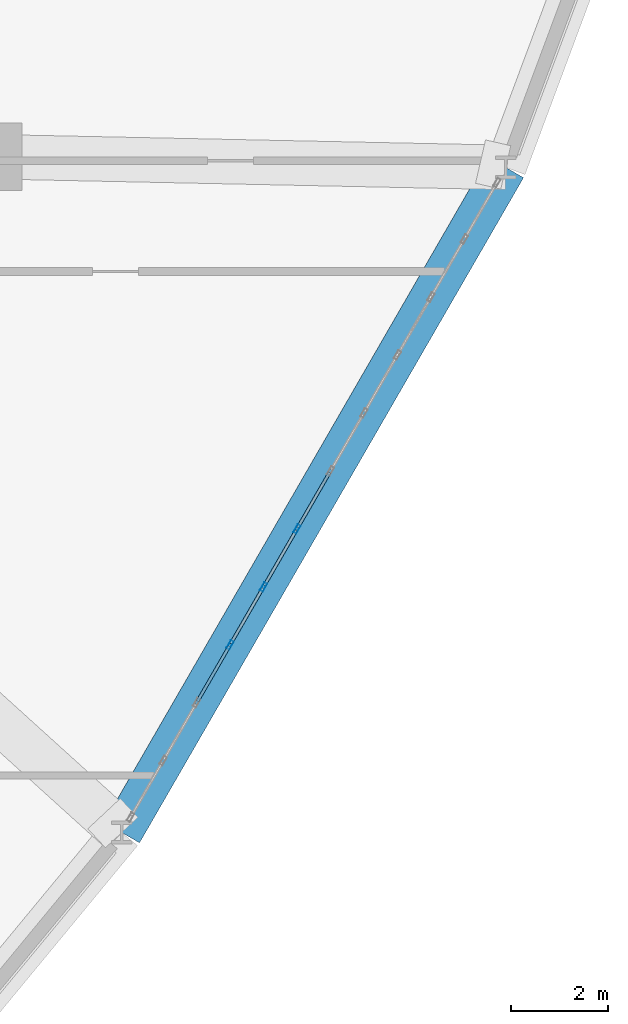
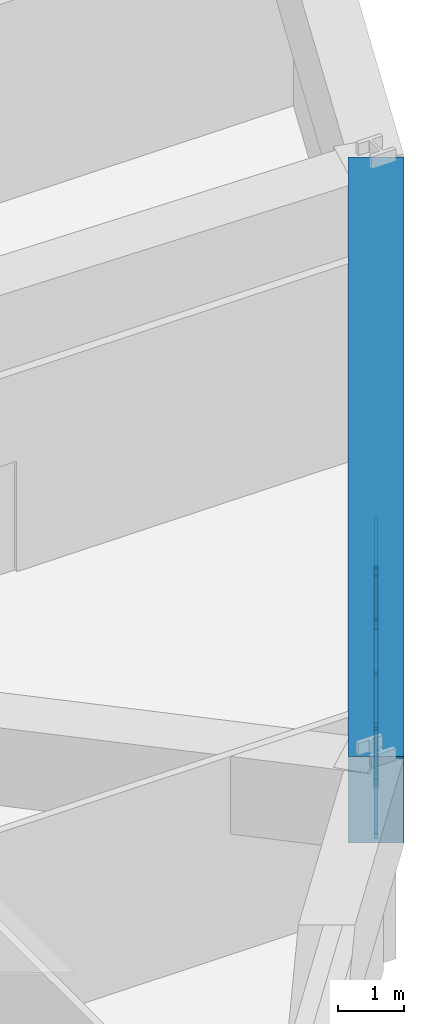
# One storey, part 7 of 20: 13 members, 1 beam, 1 element without a shape of its own.
"""IFC4 building model written with IfcOpenShell, lengths in metres."""

from ifc_helpers import new_model, si_unit, derived_unit, direction, frame, origin, origin_2d, place, context, subcontext, project, spatial, rectangle, hollow_rectangle, extrude, source, transform, mapped, material, layer, layer_set, material_profile, profile_set, type_object, element, aggregate, save


model = new_model("IFC4")

# Units and contexts
model_context = context("Model", 3, precision=1e-05, world=origin(), true_north=direction((0.0, 1.0)))
body_context = subcontext(model_context, "Body", "Model", "MODEL_VIEW")
ifc_project = project(units=[si_unit("LENGTHUNIT", "METRE"), si_unit("AREAUNIT", "SQUARE_METRE"), si_unit("VOLUMEUNIT", "CUBIC_METRE"), si_unit("PLANEANGLEUNIT", "RADIAN"), si_unit("MASSUNIT", "GRAM", prefix="KILO"), derived_unit("THERMALTRANSMITTANCEUNIT", [(si_unit("POWERUNIT", "WATT"), 1), (si_unit("LENGTHUNIT", "METRE"), -2), (si_unit("THERMODYNAMICTEMPERATUREUNIT", "KELVIN"), -1)])], contexts=[model_context])

# Site, building, storey
site_placement = place(None, origin())
site = spatial("IfcSite", under=ifc_project, at=site_placement, CompositionType="ELEMENT")
building_placement = place(site_placement, origin())
building = spatial("IfcBuilding", under=site, at=building_placement, Name="Korsvarv Bourse and Concert Hall", CompositionType="ELEMENT")
storey_placement = place(building_placement, frame((0.0, 0.0, 43.5)))
storey = spatial("IfcBuildingStorey", under=building, at=storey_placement, Name="L10", CompositionType="ELEMENT", Elevation=43.5)

# Beam
ifc_material_1 = material(Name="Concrete C55/67", Category="concrete")
ifc_material_profile_1 = material_profile(ifc_material_1, rectangle(XDim=0.85009765625, YDim=1.60009765625, at=origin_2d()), Name="RC-BM 850x1600")
ifc_profile_set_1 = profile_set([ifc_material_profile_1], Name="Concrete C55/67")
beam_type = type_object("IfcBeamType", Name="BM-TR1B", PredefinedType="BEAM", material=ifc_profile_set_1)
shared_shape_1 = source(origin(), body_context, "Body", "SweptSolid", [
    extrude(rectangle(XDim=0.85009765625, YDim=1.60009765625, at=origin_2d()), origin(), (0.0, 0.0, 1.0), 15.88232421875),
])
beam_placement = place(storey_placement, frame((50.563720703125, 18.422119140625, 2.8798828125), z_axis=(0.500002773106, 0.866023802725, 0.0), x_axis=(-0.866023802725, 0.500002773106, 0.0)))
element("IfcBeam", 1, at=beam_placement, inside=storey, type_object=beam_type, Name="L10 beam B-TR2", PredefinedType="BEAM", context=body_context, shape_type="MappedRepresentation", body=[
    mapped(shared_shape_1, transform((0.0, 0.0, 0.0), scale=1.0)),
])

# Curtain wall, members
ifc_material_2 = material(Name="Anodised aluminium and triple low-E glazing", Category="glass")
ifc_layer = layer(ifc_material_2, 0.219970703125)
ifc_layer_set = layer_set([ifc_layer], Name="Anodised aluminium and triple low-E glazing")
curtain_wall_type = type_object("IfcCurtainWallType", Name="CW-SYS-1", PredefinedType="NOTDEFINED", material=ifc_layer_set)
curtain_wall_placement = place(storey_placement, origin())
curtain_wall = element("IfcCurtainWall", 2, at=curtain_wall_placement, inside=storey, type_object=curtain_wall_type, Name="L10 CW1 curtain wall CW-L10-F11", PredefinedType="NOTDEFINED")
ifc_material_3 = material(Name="Extruded aluminium EN AW-6063 T66", Category="aluminium")
ifc_material_profile_2 = material_profile(ifc_material_3, hollow_rectangle(XDim=0.070068359375, YDim=0.18994140625, WallThickness=0.0048828125, at=origin_2d()), Name="ALU-M 70x190")
ifc_profile_set_2 = profile_set([ifc_material_profile_2], Name="Extruded aluminium EN AW-6063 T66")
member_type_1 = type_object("IfcMemberType", Name="CWM-190", PredefinedType="MULLION", material=ifc_profile_set_2)
shared_shape_2 = source(origin(), body_context, "Body", "SweptSolid", [
    extrude(hollow_rectangle(XDim=0.070068359375, YDim=0.18994140625, WallThickness=0.0048828125, at=origin_2d()), origin(), (0.0, 0.0, 1.0), 2.080078125),
])
member_1_placement = place(storey_placement, frame((52.8046875, 22.3037109375, 0.0), z_axis=(0.0, 0.0, 1.0), x_axis=(-0.866025616828, 0.499999630998, 0.0)))
member_1 = element("IfcMember", 3, at=member_1_placement, type_object=member_type_1, Name="CW1 mullion 4", PredefinedType="MULLION", context=body_context, shape_type="MappedRepresentation", body=[
    mapped(shared_shape_2, transform((0.0, 0.0, 0.0), scale=1.0)),
])
member_2_placement = place(storey_placement, frame((53.49658203125, 23.501953125, 0.0), z_axis=(0.0, 0.0, 1.0), x_axis=(-0.866025616828, 0.499999630998, 0.0)))
member_2 = element("IfcMember", 4, at=member_2_placement, type_object=member_type_1, Name="CW1 mullion 5", PredefinedType="MULLION", context=body_context, shape_type="MappedRepresentation", body=[
    mapped(shared_shape_2, transform((0.0, 0.0, 0.0), scale=1.0)),
])
member_3_placement = place(storey_placement, frame((54.1884765625, 24.7001953125, 0.0), z_axis=(0.0, 0.0, 1.0), x_axis=(-0.866025616828, 0.499999630998, 0.0)))
member_3 = element("IfcMember", 5, at=member_3_placement, type_object=member_type_1, Name="CW1 mullion 6", PredefinedType="MULLION", context=body_context, shape_type="MappedRepresentation", body=[
    mapped(shared_shape_2, transform((0.0, 0.0, 0.0), scale=1.0)),
])
ifc_material_profile_3 = material_profile(ifc_material_3, hollow_rectangle(XDim=0.06494140625, YDim=0.139892578125, WallThickness=0.00390625, at=origin_2d()), Name="ALU-T 65x140")
ifc_profile_set_3 = profile_set([ifc_material_profile_3], Name="Extruded aluminium EN AW-6063 T66")
member_type_2 = type_object("IfcMemberType", Name="CWT-140", PredefinedType="USERDEFINED", material=ifc_profile_set_3)
shared_shape_3 = source(origin(), body_context, "Body", "SweptSolid", [
    extrude(hollow_rectangle(XDim=0.06494140625, YDim=0.139892578125, WallThickness=0.00390625, at=origin_2d()), origin(), (0.0, 0.0, 1.0), 1.313720703125),
])
member_4_placement = place(storey_placement, frame((52.13037109375, 21.1357421875, 0.032470703125), z_axis=(0.50007633992, 0.865981324425, 0.0), x_axis=(-0.865981324425, 0.50007633992, 0.0)))
member_4 = element("IfcMember", 6, at=member_4_placement, type_object=member_type_2, Name="CW1 transom 3.1", ObjectType="TRANSOM", PredefinedType="USERDEFINED", context=body_context, shape_type="MappedRepresentation", body=[
    mapped(shared_shape_3, transform((0.0, 0.0, 0.0), scale=1.0)),
])
member_5_placement = place(storey_placement, frame((52.13037109375, 21.1357421875, 2.047607421875), z_axis=(0.50007633992, 0.865981324425, 0.0), x_axis=(-0.865981324425, 0.50007633992, 0.0)))
member_5 = element("IfcMember", 7, at=member_5_placement, type_object=member_type_2, Name="CW1 transom 3.2", ObjectType="TRANSOM", PredefinedType="USERDEFINED", context=body_context, shape_type="MappedRepresentation", body=[
    mapped(shared_shape_3, transform((0.0, 0.0, 0.0), scale=1.0)),
])
member_6_placement = place(storey_placement, frame((52.822265625, 22.333984375, 0.032470703125), z_axis=(0.499936960004, 0.866061796884, 0.0), x_axis=(-0.866061796884, 0.499936960004, 0.0)))
member_6 = element("IfcMember", 8, at=member_6_placement, type_object=member_type_2, Name="CW1 transom 4.1", ObjectType="TRANSOM", PredefinedType="USERDEFINED", context=body_context, shape_type="MappedRepresentation", body=[
    mapped(shared_shape_3, transform((0.0, 0.0, 0.0), scale=1.0)),
])
member_7_placement = place(storey_placement, frame((52.822265625, 22.333984375, 2.047607421875), z_axis=(0.499936960004, 0.866061796884, 0.0), x_axis=(-0.866061796884, 0.499936960004, 0.0)))
member_7 = element("IfcMember", 9, at=member_7_placement, type_object=member_type_2, Name="CW1 transom 4.2", ObjectType="TRANSOM", PredefinedType="USERDEFINED", context=body_context, shape_type="MappedRepresentation", body=[
    mapped(shared_shape_3, transform((0.0, 0.0, 0.0), scale=1.0)),
])
ifc_material_profile_4 = material_profile(ifc_material_3, hollow_rectangle(XDim=0.06494140625, YDim=0.1650390625, WallThickness=0.0048828125, at=origin_2d()), Name="ALU-M 65x165")
ifc_profile_set_4 = profile_set([ifc_material_profile_4], Name="Extruded aluminium EN AW-6063 T66")
member_type_3 = type_object("IfcMemberType", Name="CWM-165", PredefinedType="MULLION", material=ifc_profile_set_4)
shared_shape_4 = source(origin(), body_context, "Body", "SweptSolid", [
    extrude(hollow_rectangle(XDim=0.06494140625, YDim=0.1650390625, WallThickness=0.0048828125, at=origin_2d()), origin(), (0.0, 0.0, 1.0), 2.351318359375),
])
member_8_placement = place(storey_placement, frame((52.13037109375, 21.1357421875, 0.06494140625), z_axis=(0.27942064739, 0.48387224706, 0.829332111001), x_axis=(-0.865981324425, 0.50007633992, 0.0)))
member_8 = element("IfcMember", 10, at=member_8_placement, type_object=member_type_3, Name="CW1 diagonal mullion 3", PredefinedType="MULLION", context=body_context, shape_type="MappedRepresentation", body=[
    mapped(shared_shape_4, transform((0.0, 0.0, 0.0), scale=1.0)),
])
shared_shape_5 = source(origin(), body_context, "Body", "SweptSolid", [
    extrude(hollow_rectangle(XDim=0.06494140625, YDim=0.139892578125, WallThickness=0.00390625, at=origin_2d()), origin(), (0.0, 0.0, 1.0), 1.3134765625),
])
member_9_placement = place(storey_placement, frame((53.51416015625, 23.5322265625, 0.032470703125), z_axis=(0.500017439519, 0.866015334839, 0.0), x_axis=(-0.866015334839, 0.500017439519, 0.0)))
member_9 = element("IfcMember", 11, at=member_9_placement, type_object=member_type_2, Name="CW1 transom 5.1", ObjectType="TRANSOM", PredefinedType="USERDEFINED", context=body_context, shape_type="MappedRepresentation", body=[
    mapped(shared_shape_5, transform((0.0, 0.0, 0.0), scale=1.0)),
])
member_10_placement = place(storey_placement, frame((53.51416015625, 23.5322265625, 2.047607421875), z_axis=(0.500017439519, 0.866015334839, 0.0), x_axis=(-0.866015334839, 0.500017439519, 0.0)))
member_10 = element("IfcMember", 12, at=member_10_placement, type_object=member_type_2, Name="CW1 transom 5.2", ObjectType="TRANSOM", PredefinedType="USERDEFINED", context=body_context, shape_type="MappedRepresentation", body=[
    mapped(shared_shape_5, transform((0.0, 0.0, 0.0), scale=1.0)),
])
member_11_placement = place(storey_placement, frame((54.205810546875, 24.73046875, 0.032470703125), z_axis=(0.500017439519, 0.866015334839, 0.0), x_axis=(-0.866015334839, 0.500017439519, 0.0)))
member_11 = element("IfcMember", 13, at=member_11_placement, type_object=member_type_2, Name="CW1 transom 6.1", ObjectType="TRANSOM", PredefinedType="USERDEFINED", context=body_context, shape_type="MappedRepresentation", body=[
    mapped(shared_shape_5, transform((0.0, 0.0, 0.0), scale=1.0)),
])
member_12_placement = place(storey_placement, frame((54.205810546875, 24.73046875, 2.047607421875), z_axis=(0.500017439519, 0.866015334839, 0.0), x_axis=(-0.866015334839, 0.500017439519, 0.0)))
member_12 = element("IfcMember", 14, at=member_12_placement, type_object=member_type_2, Name="CW1 transom 6.2", ObjectType="TRANSOM", PredefinedType="USERDEFINED", context=body_context, shape_type="MappedRepresentation", body=[
    mapped(shared_shape_5, transform((0.0, 0.0, 0.0), scale=1.0)),
])
shared_shape_6 = source(origin(), body_context, "Body", "SweptSolid", [
    extrude(hollow_rectangle(XDim=0.06494140625, YDim=0.1650390625, WallThickness=0.0048828125, at=origin_2d()), origin(), (0.0, 0.0, 1.0), 2.35107421875),
])
member_13_placement = place(storey_placement, frame((54.862548828125, 25.867919921875, 0.06494140625), z_axis=(-0.279338949494, -0.483806753046, 0.829397840004), x_axis=(0.866015334839, -0.500017439519, 0.0)))
member_13 = element("IfcMember", 15, at=member_13_placement, type_object=member_type_3, Name="CW1 diagonal mullion 6", PredefinedType="MULLION", context=body_context, shape_type="MappedRepresentation", body=[
    mapped(shared_shape_6, transform((0.0, 0.0, 0.0), scale=1.0)),
])
aggregate(curtain_wall, [member_1, member_2, member_3, member_4, member_5, member_8, member_6, member_7, member_9, member_10, member_11, member_12, member_13])

save(model, "model.ifc")
